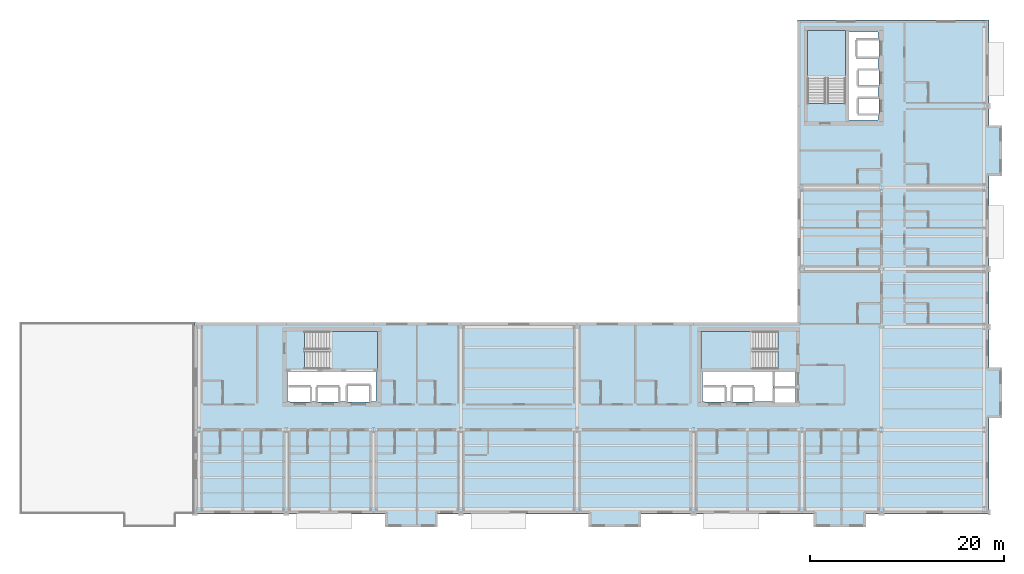
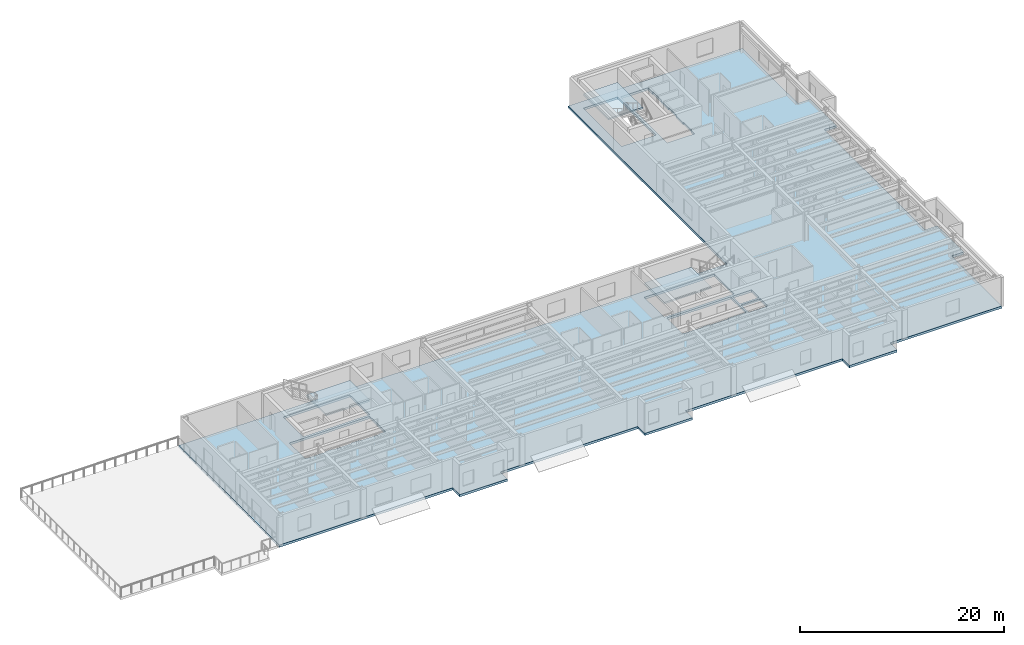
# One storey, part 4 of 17: 4 slabs, 3 elements without a shape of their own.
"""IFC4 building model written with IfcOpenShell, lengths in metres."""

from ifc_helpers import new_model, si_unit, direction, frame, origin, place, context, subcontext, project, spatial, polyline, outline, extrude, material, layer, layer_set, type_object, element, aggregate, save


model = new_model("IFC4")

# Units and contexts
model_context = context("Model", 3, precision=1e-05, world=origin(), true_north=direction((0.0, 1.0)))
body_context = subcontext(model_context, "Body", "Model", "MODEL_VIEW")
ifc_project = project(units=[si_unit("LENGTHUNIT", "METRE"), si_unit("AREAUNIT", "SQUARE_METRE"), si_unit("VOLUMEUNIT", "CUBIC_METRE"), si_unit("PLANEANGLEUNIT", "RADIAN"), si_unit("MASSUNIT", "GRAM", prefix="KILO")], contexts=[model_context])

# Site, building, storey
site_placement = place(None, origin())
site = spatial("IfcSite", under=ifc_project, at=site_placement, CompositionType="ELEMENT")
building_placement = place(site_placement, origin())
building = spatial("IfcBuilding", under=site, at=building_placement, Name="Sollismere Congress Hotel", CompositionType="ELEMENT")
storey_placement = place(building_placement, frame((0.0, 0.0, 41.10009765625)))
storey = spatial("IfcBuildingStorey", under=building, at=storey_placement, Name="L10", CompositionType="ELEMENT", Elevation=41.10009765625)

# Slab
ifc_material = material(Name="Concrete C40/50", Category="concrete")
ifc_layer_1 = layer(ifc_material, 0.27490234375, Name="Concrete C40/50")
ifc_layer_set_1 = layer_set([ifc_layer_1], Name="Concrete C40/50")
slab_type_1 = type_object("IfcSlabType", Name="SL-FLR275", PredefinedType="FLOOR", material=ifc_layer_set_1)
slab_1_placement = place(storey_placement, frame((0.0, 0.0, -0.275146484375)))
element("IfcSlab", 1, at=slab_1_placement, inside=storey, type_object=slab_type_1, Name="Slab SL-L10-V5", PredefinedType="FLOOR", context=body_context, shape_type="SweptSolid", body=[
    extrude(outline(polyline([(104.199951171875, -0.47998046875), (104.199951171875, -1.85009765625), (109.60009765625, -1.85009765625), (109.60009765625, -0.47998046875), (125.199951171875, -0.47998046875), (125.199951171875, -1.85009765625), (130.60009765625, -1.85009765625), (130.60009765625, -0.47998046875), (148.39990234375, -0.47998046875), (148.39990234375, -1.85009765625), (153.800048828125, -1.85009765625), (153.800048828125, -0.47998046875), (166.47998046875, -0.47998046875), (166.47998046875, 9.39990234375), (167.85009765625, 9.39990234375), (167.85009765625, 14.60009765625), (166.47998046875, 14.60009765625), (166.47998046875, 19.280029296875), (166.47998046875, 34.39990234375), (167.85009765625, 34.39990234375), (167.85009765625, 39.60009765625), (166.47998046875, 39.60009765625), (166.47998046875, 50.47998046875), (146.719970703125, 50.47998046875), (146.719970703125, 19.280029296875), (84.52001953125, 19.280029296875), (84.52001953125, -0.47998046875), (104.199951171875, -0.47998046875)]), holes=[polyline([(94.35498046875, 11.050048828125), (94.35498046875, 11.139892578125), (94.139892578125, 11.139892578125), (94.139892578125, 14.179931640625), (103.260009765625, 14.179931640625), (103.260009765625, 11.139892578125), (102.570068359375, 11.139892578125), (102.570068359375, 11.054931640625), (100.330078125, 11.054931640625), (100.330078125, 11.139892578125), (99.344970703125, 11.139892578125), (99.344970703125, 11.050048828125), (97.2548828125, 11.050048828125), (97.2548828125, 11.139892578125), (96.445068359375, 11.139892578125), (96.445068359375, 11.050048828125), (94.35498046875, 11.050048828125)]), polyline([(137.155029296875, 11.050048828125), (137.155029296875, 11.139892578125), (136.93994140625, 11.139892578125), (136.93994140625, 14.179931640625), (144.22705078125, 14.179931640625), (144.22705078125, 11.139892578125), (142.14501953125, 11.139892578125), (142.14501953125, 11.050048828125), (140.054931640625, 11.050048828125), (140.054931640625, 11.139892578125), (139.2451171875, 11.139892578125), (139.2451171875, 11.050048828125), (137.155029296875, 11.050048828125)]), polyline([(95.8505859375, 14.449951171875), (95.8505859375, 18.35009765625), (103.39990234375, 18.35009765625), (103.39990234375, 14.449951171875), (95.8505859375, 14.449951171875)]), polyline([(144.749267578125, 18.35009765625), (144.749267578125, 14.449951171875), (136.800048828125, 14.449951171875), (136.800048828125, 18.35009765625), (144.749267578125, 18.35009765625)]), polyline([(146.550048828125, 11.0048828125), (144.409912109375, 11.0048828125), (144.409912109375, 12.4951171875), (146.550048828125, 12.4951171875), (146.550048828125, 11.0048828125)]), polyline([(146.550048828125, 12.705078125), (144.409912109375, 12.705078125), (144.409912109375, 14.195068359375), (146.550048828125, 14.195068359375), (146.550048828125, 12.705078125)]), polyline([(155.14501953125, 40.830078125), (155.06005859375, 40.830078125), (155.06005859375, 40.139892578125), (151.969970703125, 40.139892578125), (151.969970703125, 49.260009765625), (155.06005859375, 49.260009765625), (155.06005859375, 48.39501953125), (155.139892578125, 48.39501953125), (155.139892578125, 46.705078125), (155.06005859375, 46.705078125), (155.06005859375, 45.27001953125), (155.14501953125, 45.27001953125), (155.14501953125, 43.72998046875), (155.06005859375, 43.72998046875), (155.06005859375, 42.3701171875), (155.14501953125, 42.3701171875), (155.14501953125, 40.830078125)]), polyline([(151.699951171875, 41.8505859375), (147.800048828125, 41.8505859375), (147.800048828125, 49.39990234375), (151.699951171875, 49.39990234375), (151.699951171875, 41.8505859375)])]), origin(), (0.0, 0.0, 1.0), 0.275146484375),
])

# Stair, slab
stair_type = type_object("IfcStairType", Name="STR-DL-350", PredefinedType="HALF_TURN_STAIR", material=ifc_material)
stair_1_placement = place(storey_placement, origin())
stair_1 = element("IfcStair", 2, at=stair_1_placement, inside=storey, type_object=stair_type, Name="Protected exit stair ST-01-L10", PredefinedType="HALF_TURN_STAIR")
ifc_layer_2 = layer(ifc_material, 0.199951171875, Name="Concrete C40/50")
ifc_layer_set_2 = layer_set([ifc_layer_2], Name="Concrete C40/50")
slab_type_2 = type_object("IfcSlabType", Name="SL-LND200", PredefinedType="LANDING", material=ifc_layer_set_2)
slab_2_placement = place(storey_placement, frame((0.0, 0.0, 1.5498046875)))
slab_2 = element("IfcSlab", 3, at=slab_2_placement, type_object=slab_type_2, Name="Exit stair half-landing ST-01-L10-L1", PredefinedType="LANDING", context=body_context, shape_type="SweptSolid", body=[
    extrude(outline(polyline([(142.139892578125, 18.35009765625), (136.800048828125, 18.35009765625), (136.800048828125, 14.449951171875), (142.139892578125, 14.449951171875), (142.139892578125, 18.35009765625)])), origin(), (0.0, 0.0, 1.0), 0.2001953125),
])
aggregate(stair_1, [slab_2])

stair_2_placement = place(storey_placement, origin())
stair_2 = element("IfcStair", 4, at=stair_2_placement, inside=storey, type_object=stair_type, Name="Protected exit stair ST-02-L10", PredefinedType="HALF_TURN_STAIR")
slab_3_placement = place(storey_placement, frame((0.0, 0.0, 1.5498046875)))
slab_3 = element("IfcSlab", 5, at=slab_3_placement, type_object=slab_type_2, Name="Exit stair half-landing ST-02-L10-L1", PredefinedType="LANDING", context=body_context, shape_type="SweptSolid", body=[
    extrude(outline(polyline([(98.4599609375, 14.449951171875), (103.39990234375, 14.449951171875), (103.39990234375, 18.35009765625), (98.4599609375, 18.35009765625), (98.4599609375, 14.449951171875)])), origin(), (0.0, 0.0, 1.0), 0.2001953125),
])
aggregate(stair_2, [slab_3])

stair_3_placement = place(storey_placement, origin())
stair_3 = element("IfcStair", 6, at=stair_3_placement, inside=storey, type_object=stair_type, Name="Protected exit stair ST-03-L10", PredefinedType="HALF_TURN_STAIR")
slab_4_placement = place(storey_placement, frame((0.0, 0.0, 1.5498046875)))
slab_4 = element("IfcSlab", 7, at=slab_4_placement, type_object=slab_type_2, Name="Exit stair half-landing ST-03-L10-L1", PredefinedType="LANDING", context=body_context, shape_type="SweptSolid", body=[
    extrude(outline(polyline([(151.699951171875, 44.4599609375), (151.699951171875, 49.39990234375), (147.800048828125, 49.39990234375), (147.800048828125, 44.4599609375), (151.699951171875, 44.4599609375)])), origin(), (0.0, 0.0, 1.0), 0.2001953125),
])
aggregate(stair_3, [slab_4])

save(model, "model.ifc")
